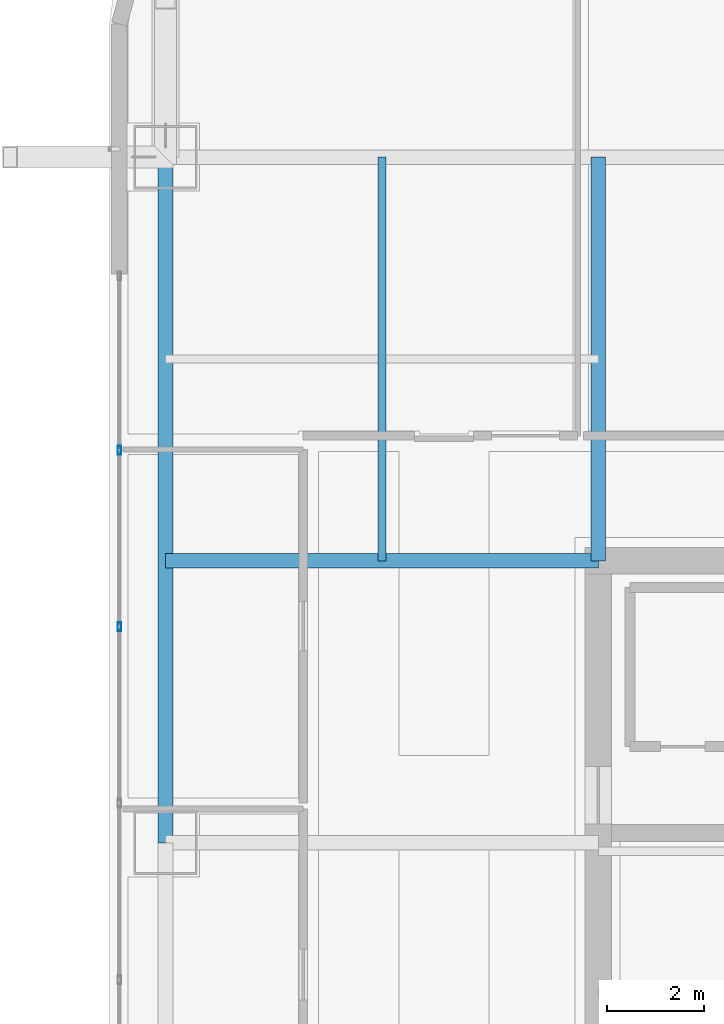
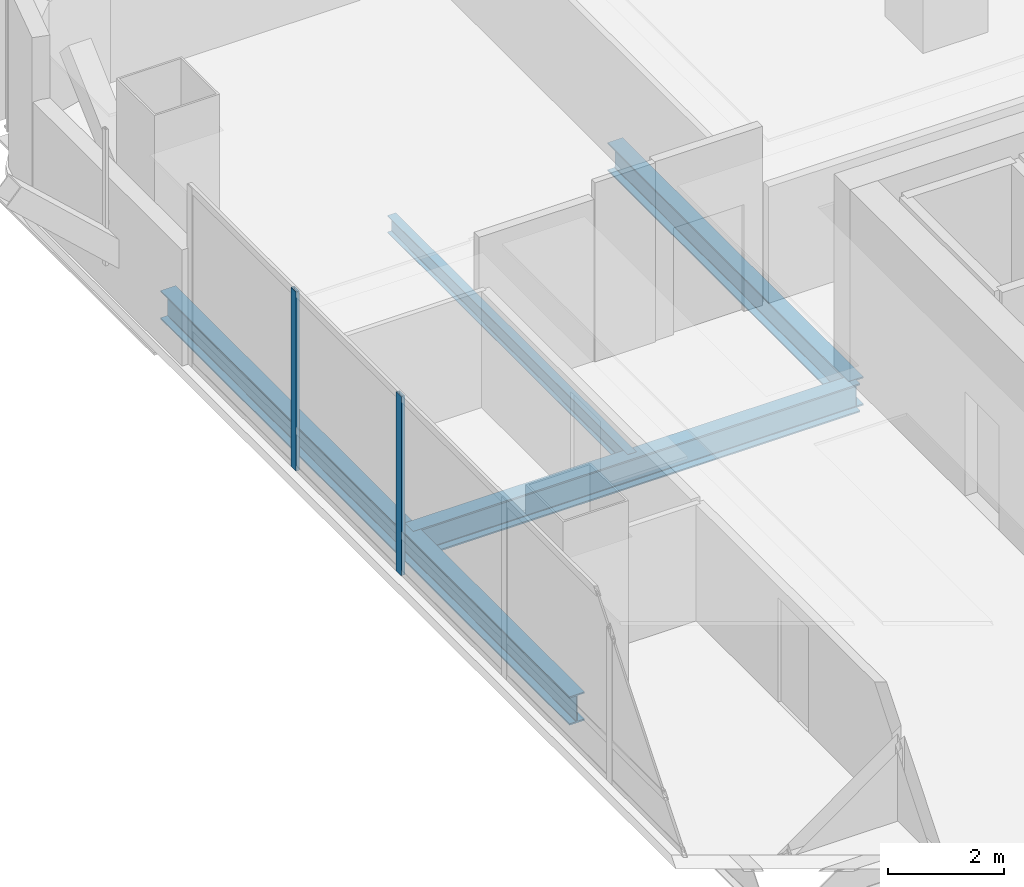
# One storey, part 12 of 51: 4 beams, 2 members, 1 element without a shape of its own.
"""IFC4 building model written with IfcOpenShell, lengths in metres."""

from ifc_helpers import new_model, si_unit, direction, frame, origin, origin_2d, place, context, subcontext, project, spatial, hollow_rectangle, i_section, extrude, material, material_profile, profile_set, type_object, element, aggregate, save


model = new_model("IFC4")

# Units and contexts
model_context = context("Model", 3, precision=1e-05, world=origin(), true_north=direction((0.0, 1.0)))
body_context = subcontext(model_context, "Body", "Model", "MODEL_VIEW")
ifc_project = project(units=[si_unit("LENGTHUNIT", "METRE"), si_unit("AREAUNIT", "SQUARE_METRE"), si_unit("VOLUMEUNIT", "CUBIC_METRE"), si_unit("PLANEANGLEUNIT", "RADIAN"), si_unit("MASSUNIT", "GRAM", prefix="KILO")], contexts=[model_context])

# Site, building, storey
site_placement = place(None, origin())
site = spatial("IfcSite", under=ifc_project, at=site_placement, CompositionType="ELEMENT")
building_placement = place(site_placement, origin())
building = spatial("IfcBuilding", under=site, at=building_placement, Name="Punatoya Terracotta Tower", CompositionType="ELEMENT")
storey_placement = place(building_placement, frame((0.0, 0.0, 279.75)))
storey = spatial("IfcBuildingStorey", under=building, at=storey_placement, Name="L66", CompositionType="ELEMENT", Elevation=279.75)

# Beams
ifc_material_1 = material(Name="Steel S355", Category="steel")
ifc_material_profile_1 = material_profile(ifc_material_1, i_section(OverallWidth=0.300048828125, OverallDepth=0.60009765625, WebThickness=0.015380859375, FlangeThickness=0.030029296875, FilletRadius=0.01806640625, at=origin_2d()))
ifc_profile_set_1 = profile_set([ifc_material_profile_1], Name="Steel S355")
beam_type_1 = type_object("IfcBeamType", Name="BM-PRI-600", PredefinedType="BEAM", material=ifc_profile_set_1)
beam_1_placement = place(storey_placement, frame((-19.10009765625, 3.39990234375, -0.5), z_axis=(0.0, 1.0, 0.0), x_axis=(-1.0, 0.0, 0.0)))
element("IfcBeam", 1, at=beam_1_placement, inside=storey, type_object=beam_type_1, Name="BM-L66-RG-W3", PredefinedType="BEAM", context=body_context, shape_type="SweptSolid", body=[
    extrude(i_section(OverallWidth=0.300048828125, OverallDepth=0.60009765625, WebThickness=0.015380859375, FlangeThickness=0.030029296875, FilletRadius=0.01806640625, at=origin_2d()), origin(), (0.0, 0.0, 1.0), 14.10009765625),
])
beam_2_placement = place(storey_placement, frame((-19.10009765625, 9.199951171875, -0.5), z_axis=(1.0, 0.0, 0.0), x_axis=(0.0, 1.0, 0.0)))
element("IfcBeam", 2, at=beam_2_placement, inside=storey, type_object=beam_type_1, Name="BM-L66-PR-WN", PredefinedType="BEAM", context=body_context, shape_type="SweptSolid", body=[
    extrude(i_section(OverallWidth=0.300048828125, OverallDepth=0.60009765625, WebThickness=0.015380859375, FlangeThickness=0.030029296875, FilletRadius=0.01806640625, at=origin_2d()), origin(), (0.0, 0.0, 1.0), 8.900146484375),
])
beam_3_placement = place(storey_placement, frame((-10.199951171875, 9.199951171875, -0.5), z_axis=(0.0, 1.0, 0.0), x_axis=(-1.0, 0.0, 0.0)))
element("IfcBeam", 3, at=beam_3_placement, inside=storey, type_object=beam_type_1, Name="BM-L66-PR-N1", PredefinedType="BEAM", context=body_context, shape_type="SweptSolid", body=[
    extrude(i_section(OverallWidth=0.300048828125, OverallDepth=0.60009765625, WebThickness=0.015380859375, FlangeThickness=0.030029296875, FilletRadius=0.01806640625, at=origin_2d()), origin(), (0.0, 0.0, 1.0), 8.300048828125),
])
ifc_material_profile_2 = material_profile(ifc_material_1, i_section(OverallWidth=0.169921875, OverallDepth=0.360107421875, WebThickness=0.008056640625, FlangeThickness=0.0126953125, FilletRadius=0.01806640625, at=origin_2d()))
ifc_profile_set_2 = profile_set([ifc_material_profile_2], Name="Steel S355")
beam_type_2 = type_object("IfcBeamType", Name="BM-SEC-360", PredefinedType="JOIST", material=ifc_profile_set_2)
beam_4_placement = place(storey_placement, frame((-14.64990234375, 9.199951171875, -0.3798828125), z_axis=(0.0, 1.0, 0.0), x_axis=(-1.0, 0.0, 0.0)))
element("IfcBeam", 4, at=beam_4_placement, inside=storey, type_object=beam_type_2, Name="BM-L66-SJW-2", PredefinedType="JOIST", context=body_context, shape_type="SweptSolid", body=[
    extrude(i_section(OverallWidth=0.169921875, OverallDepth=0.360107421875, WebThickness=0.008056640625, FlangeThickness=0.0126953125, FilletRadius=0.01806640625, at=origin_2d()), origin(), (0.0, 0.0, 1.0), 8.300048828125),
])

# Curtain wall, members
ifc_material_2 = material(Name="Aluminium 6063-T6 + Double Low-E Glass", Category="aluminium")
curtain_wall_type = type_object("IfcCurtainWallType", Name="CW-M3", PredefinedType="NOTDEFINED", material=ifc_material_2)
curtain_wall_placement = place(storey_placement, origin())
curtain_wall = element("IfcCurtainWall", 5, at=curtain_wall_placement, inside=storey, type_object=curtain_wall_type, Name="L66 Curtain Wall CW-L66-W13-1", PredefinedType="NOTDEFINED")
ifc_material_3 = material(Name="Aluminium 6063-T6", Category="aluminium")
ifc_material_profile_3 = material_profile(ifc_material_3, hollow_rectangle(XDim=0.070068359375, YDim=0.179931640625, WallThickness=0.00390625, at=origin_2d()))
ifc_profile_set_3 = profile_set([ifc_material_profile_3], Name="Aluminium 6063-T6")
member_type = type_object("IfcMemberType", Name="CW-MUL-M3", PredefinedType="MULLION", material=ifc_profile_set_3)
member_1_placement = place(storey_placement, frame((-20.050048828125, 11.471435546875, 0.0), z_axis=(0.0, 0.0, 1.0), x_axis=(1.0, 0.0, 0.0)))
member_1 = element("IfcMember", 6, at=member_1_placement, type_object=member_type, Name="CW-L66-W13-1 Mullion 01", PredefinedType="MULLION", context=body_context, shape_type="SweptSolid", body=[
    extrude(hollow_rectangle(XDim=0.070068359375, YDim=0.179931640625, WallThickness=0.00390625, at=origin_2d()), origin(), (0.0, 0.0, 1.0), 3.77001953125),
])
member_2_placement = place(storey_placement, frame((-20.050048828125, 7.843017578125, 0.0), z_axis=(0.0, 0.0, 1.0), x_axis=(1.0, 0.0, 0.0)))
member_2 = element("IfcMember", 7, at=member_2_placement, type_object=member_type, Name="CW-L66-W13-1 Mullion 02", PredefinedType="MULLION", context=body_context, shape_type="SweptSolid", body=[
    extrude(hollow_rectangle(XDim=0.070068359375, YDim=0.179931640625, WallThickness=0.00390625, at=origin_2d()), origin(), (0.0, 0.0, 1.0), 3.77001953125),
])
aggregate(curtain_wall, [member_1, member_2])

save(model, "model.ifc")
